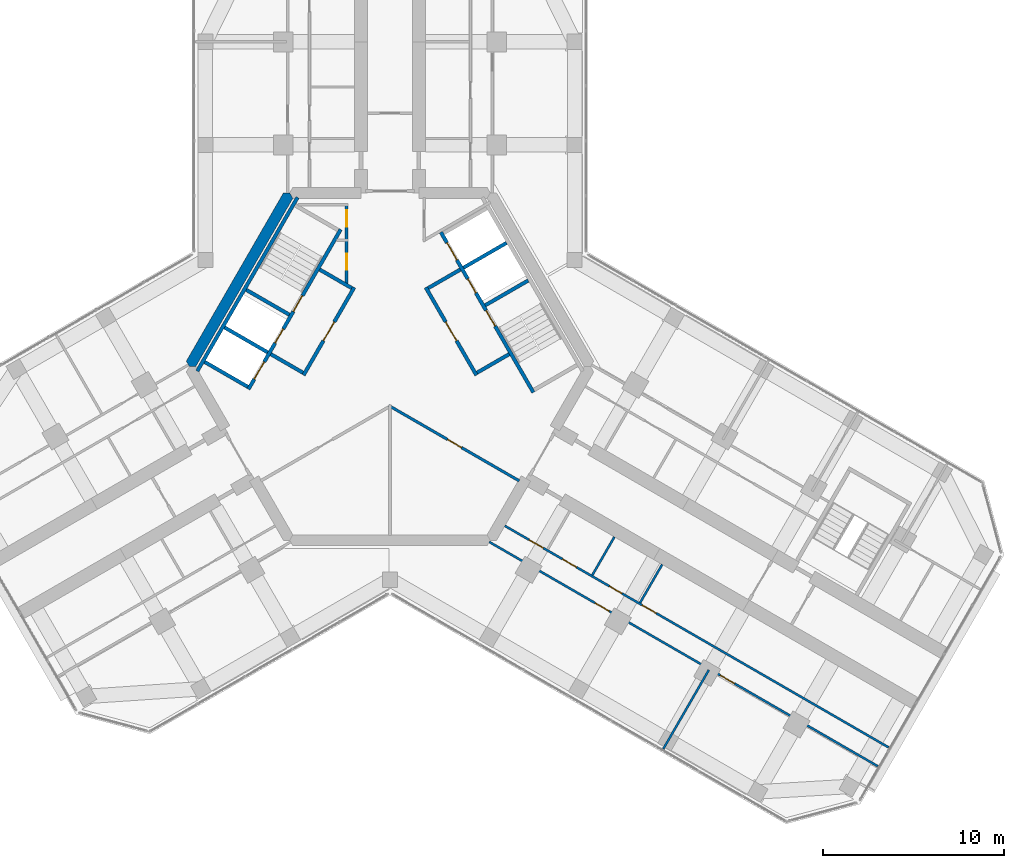
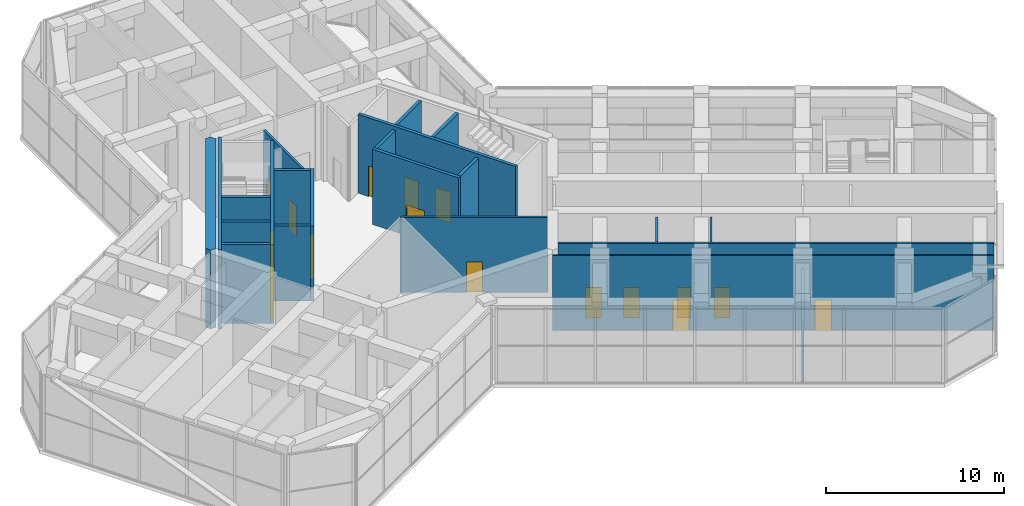
# One storey, part 12 of 16: 22 walls, 17 doors, 17 openings.
"""IFC4 building model written with IfcOpenShell, lengths in metres."""

import ifcopenshell
import ifcopenshell.guid

model = None  # the IFC model being written
_history = None  # IfcOwnerHistory: only IFC2X3 demands one
_inside = {}  # id of a spatial element -> (the spatial element, [elements in it])
_under = {}  # id of a project, library or spatial element -> (it, [spatial elements below it])
_declared = {}  # id of a project -> (the project, [libraries it declares])
_typed = {}  # id of a type object -> (the type object, [elements of that type])
_made_of = {}  # id of a material, layer set ... -> (it, [elements and type objects made of it])


def new_model(schema):
    """Start an empty IFC model of exactly this schema.

    Asked for "IFC4X3", IfcOpenShell would pick the latest addendum, in which some entities
    have other attributes; the version numbers below select the first issue.
    IFC2X3 requires an IfcOwnerHistory on every rooted entity: one is made here for all.
    """
    global model, _history
    if schema == "IFC4X3":
        model = ifcopenshell.file(schema_version=(4, 3, 0, 0))
    else:
        model = ifcopenshell.file(schema=schema)
    _inside.clear()
    _under.clear()
    _declared.clear()
    _typed.clear()
    _made_of.clear()
    _history = None
    if model.schema == "IFC2X3":
        org = make("IfcOrganization", Name="unknown")
        user = make(
            "IfcPersonAndOrganization",
            ThePerson=make("IfcPerson", FamilyName="unknown"),
            TheOrganization=org,
        )
        app = make(
            "IfcApplication",
            ApplicationDeveloper=org,
            Version="unknown",
            ApplicationFullName="unknown",
            ApplicationIdentifier="unknown",
        )
        _history = make(
            "IfcOwnerHistory",
            OwningUser=user,
            OwningApplication=app,
            ChangeAction="ADDED",
            CreationDate=0,
        )
    return model


def make(cls, **values):
    """One entity of the class cls with the attributes given. An attribute that is None is left unset."""
    return model.create_entity(
        cls, **{name: value for name, value in values.items() if value is not None}
    )


def rooted(cls, **values):
    """An entity with a GlobalId (a new one), such as an element, a storey or a relation."""
    return make(cls, GlobalId=ifcopenshell.guid.new(), OwnerHistory=_history, **values)


def si_unit(unit_type, name, prefix=None):
    """IfcSIUnit, for example si_unit("LENGTHUNIT", "METRE", prefix="MILLI")."""
    return make("IfcSIUnit", UnitType=unit_type, Prefix=prefix, Name=name)


def assignment(units):
    """IfcUnitAssignment: the units of a project."""
    return None if units is None else make("IfcUnitAssignment", Units=units)


def point(xyz):
    """IfcCartesianPoint."""
    return None if xyz is None else make("IfcCartesianPoint", Coordinates=xyz)


def direction(xyz):
    """IfcDirection."""
    return None if xyz is None else make("IfcDirection", DirectionRatios=xyz)


def frame(location, z_axis=None, x_axis=None):
    """IfcAxis2Placement3D, a coordinate frame: its origin and axes. An axis left out is left unset."""
    return make(
        "IfcAxis2Placement3D",
        Location=point(location),
        Axis=direction(z_axis),
        RefDirection=direction(x_axis),
    )


def frame_2d(location, x_axis=None):
    """IfcAxis2Placement2D, a coordinate frame in the plane: its origin and x axis."""
    return make(
        "IfcAxis2Placement2D", Location=point(location), RefDirection=direction(x_axis)
    )


def origin():
    """The frame at (0, 0, 0) with its axes left unset."""
    return frame((0.0, 0.0, 0.0))


def place(relative_to, where):
    """IfcLocalPlacement: puts the frame where relative to a parent placement (None: the world)."""
    return make(
        "IfcLocalPlacement", PlacementRelTo=relative_to, RelativePlacement=where
    )


def context(
    kind, dimensions, precision=None, world=None, true_north=None, identifier=None
):
    """IfcGeometricRepresentationContext, for example the 3D "Model" context."""
    return make(
        "IfcGeometricRepresentationContext",
        ContextIdentifier=identifier,
        ContextType=kind,
        CoordinateSpaceDimension=dimensions,
        Precision=precision,
        WorldCoordinateSystem=world,
        TrueNorth=true_north,
    )


def subcontext(parent, identifier, kind, view, scale=None):
    """IfcGeometricRepresentationSubContext, for example "Body" below "Model"."""
    return make(
        "IfcGeometricRepresentationSubContext",
        ContextIdentifier=identifier,
        ContextType=kind,
        ParentContext=parent,
        TargetScale=scale,
        TargetView=view,
    )


def project(units=None, contexts=None):
    """IfcProject with its units and contexts."""
    return rooted(
        "IfcProject",
        Name="project",
        RepresentationContexts=contexts,
        UnitsInContext=assignment(units),
    )


def spatial(cls, under=None, at=None, **own):
    """A site, building, storey or space (cls), placed at a placement, below another one or the project."""
    s = rooted(cls, ObjectPlacement=at, **own)
    if under is not None:
        _under.setdefault(under.id(), (under, []))[1].append(s)
    return s


def polyline(points):
    """IfcPolyline through the points."""
    return make("IfcPolyline", Points=[point(p) for p in points])


def profile(cls, at=None, kind="AREA", **sizes):
    """A parametric profile (cls). Its sizes go by their IFC names, for example OverallWidth=200.0."""
    return make(cls, ProfileType=kind, Position=at, **sizes)


def rectangle(**sizes):
    """IfcRectangleProfileDef."""
    return profile("IfcRectangleProfileDef", **sizes)


def outline(outer, holes=None, kind="AREA"):
    """IfcArbitraryClosedProfileDef: a profile drawn as a closed curve; with holes, ...WithVoids."""
    if holes is None:
        return make("IfcArbitraryClosedProfileDef", ProfileType=kind, OuterCurve=outer)
    return make(
        "IfcArbitraryProfileDefWithVoids",
        ProfileType=kind,
        OuterCurve=outer,
        InnerCurves=holes,
    )


def extrude(swept, where, along, depth):
    """IfcExtrudedAreaSolid: the profile swept, set in the frame where, extruded along a direction by depth."""
    return make(
        "IfcExtrudedAreaSolid",
        SweptArea=swept,
        Position=where,
        ExtrudedDirection=direction(along),
        Depth=depth,
    )


def shape(context_of_items, identifier, shape_type, items):
    """IfcShapeRepresentation: the items that make up one representation, for example the "Body"."""
    return make(
        "IfcShapeRepresentation",
        ContextOfItems=context_of_items,
        RepresentationIdentifier=identifier,
        RepresentationType=shape_type,
        Items=items,
    )


def material(Name=None, Category=None):
    """IfcMaterial."""
    return make("IfcMaterial", Name=Name, Category=Category)


def layer(
    of_material, thickness, ventilated=None, Name=None, Category=None, Priority=None
):
    """IfcMaterialLayer: one layer of a wall or slab, of a material (None: an air gap)."""
    return make(
        "IfcMaterialLayer",
        Material=of_material,
        LayerThickness=thickness,
        IsVentilated=ventilated,
        Name=Name,
        Category=Category,
        Priority=Priority,
    )


def layer_set(layers, Name=None):
    """IfcMaterialLayerSet."""
    return make("IfcMaterialLayerSet", MaterialLayers=layers, LayerSetName=Name)


def made_of(thing, what):
    """Note that an element or type object is made of a material, layer set ...; save() writes the relation."""
    if what is not None:
        _made_of.setdefault(what.id(), (what, []))[1].append(thing)
    return thing


def type_object(cls, material=None, **own):
    """A type object (cls), such as IfcWallType, which elements share."""
    return made_of(rooted(cls, **own), material)


def element(
    cls,
    number,
    at=None,
    inside=None,
    cuts=None,
    type_object=None,
    material=None,
    context=None,
    identifier="Body",
    shape_type=None,
    held_by="IfcProductDefinitionShape",
    body=None,
    shapes=None,
    **own,
):
    """One element of the class cls, such as IfcWall. Its Tag is "e" and its number.

    at: its placement. inside: the storey or other place that contains it. cuts: it is an
    opening in that element (IfcRelVoidsElement). A single representation is given by context,
    identifier, shape_type and body (its items); several are given by shapes. held_by: the class
    of the entity that holds the representations. save() writes the other relations.
    """
    e = rooted(cls, Tag="e%d" % number, ObjectPlacement=at, **own)
    if body is not None:
        shapes = [shape(context, identifier, shape_type, body)]
    if shapes is not None:
        e.Representation = make(held_by, Representations=shapes)
    if inside is not None:
        _inside.setdefault(inside.id(), (inside, []))[1].append(e)
    if cuts is not None:
        rooted(
            "IfcRelVoidsElement", RelatingBuildingElement=cuts, RelatedOpeningElement=e
        )
    if type_object is not None:
        _typed.setdefault(type_object.id(), (type_object, []))[1].append(e)
    return made_of(e, material)


def fill(opening, filler):
    """IfcRelFillsElement: the door or window that sits in an opening."""
    return rooted(
        "IfcRelFillsElement",
        RelatingOpeningElement=opening,
        RelatedBuildingElement=filler,
    )


def aggregate(whole, parts):
    """IfcRelAggregates: a whole, such as a stair, and the parts it consists of."""
    return rooted("IfcRelAggregates", RelatingObject=whole, RelatedObjects=parts)


def save(model, path):
    """Write the relations noted so far, then the file.

    IfcRelAggregates (storeys below a building ...), IfcRelContainedInSpatialStructure (elements
    in a storey), IfcRelDefinesByType, IfcRelAssociatesMaterial and IfcRelDeclares: one each for
    every whole, place, type object, material and project.
    """
    for whole, parts in _under.values():
        aggregate(whole, parts)
    for where, things in _inside.values():
        rooted(
            "IfcRelContainedInSpatialStructure",
            RelatedElements=things,
            RelatingStructure=where,
        )
    for kind, things in _typed.values():
        rooted("IfcRelDefinesByType", RelatedObjects=things, RelatingType=kind)
    for what, things in _made_of.values():
        rooted("IfcRelAssociatesMaterial", RelatedObjects=things, RelatingMaterial=what)
    for by, libraries in _declared.values():
        rooted("IfcRelDeclares", RelatingContext=by, RelatedDefinitions=libraries)
    model.write(path)


model = new_model("IFC4")

# Units and contexts
model_context = context("Model", 3, precision=1e-05, world=origin(), true_north=direction((0.0, 1.0)))
body_context = subcontext(model_context, "Body", "Model", "MODEL_VIEW")
ifc_project = project(units=[si_unit("LENGTHUNIT", "METRE"), si_unit("AREAUNIT", "SQUARE_METRE"), si_unit("VOLUMEUNIT", "CUBIC_METRE"), si_unit("PLANEANGLEUNIT", "RADIAN"), si_unit("MASSUNIT", "GRAM", prefix="KILO")], contexts=[model_context])

# Site, building, storey
site_placement = place(None, origin())
site = spatial("IfcSite", under=ifc_project, at=site_placement, CompositionType="ELEMENT")
building_placement = place(site_placement, origin())
building = spatial("IfcBuilding", under=site, at=building_placement, Name="Kosmar Iwan School Tower", CompositionType="ELEMENT")
storey_placement = place(building_placement, frame((0.0, 0.0, 226.199951171875)))
storey = spatial("IfcBuildingStorey", under=building, at=storey_placement, Name="L57", CompositionType="ELEMENT", Elevation=226.199951171875)

# Wall, openings, doors
ifc_material_1 = material(Name="Gypsum board on steel studs, fire-rated", Category="steel")
ifc_layer_1 = layer(ifc_material_1, 0.14990234375)
ifc_layer_set_1 = layer_set([ifc_layer_1], Name="Core room partition 150")
wall_type_1 = type_object("IfcWallType", Name="Core room partition 150", PredefinedType="PARTITIONING", material=ifc_layer_set_1)
wall_1_placement = place(storey_placement, frame((-2.39990234375, 9.014892578125, 0.0), z_axis=(0.0, 0.0, 1.0), x_axis=(0.0, -1.0, 0.0)))
wall_1 = element("IfcWall", 1, at=wall_1_placement, inside=storey, type_object=wall_type_1, Name="Core room partition L57-CW1", PredefinedType="PARTITIONING", context=body_context, shape_type="SweptSolid", body=[
    extrude(rectangle(XDim=4.484130859375, YDim=0.14990234375, at=frame_2d((2.2421875, 0.0))), origin(), (0.0, 0.0, 1.0), 5.150146484375),
])
opening_1_placement = place(wall_1_placement, frame((0.375, 0.0, 0.0)))
opening_1 = element("IfcOpeningElement", 2, at=opening_1_placement, cuts=wall_1, Name="Opening D14", PredefinedType="OPENING", context=body_context, shape_type="SweptSolid", body=[
    extrude(rectangle(XDim=0.89990234375, YDim=2.10009765625, at=frame_2d((0.449951171875, 1.050048828125))), frame((0.0, 0.0869140625, 0.0), z_axis=(0.0, -1.0, 0.0), x_axis=(1.0, 0.0, 0.0)), (0.0, 0.0, 1.0), 0.173828125),
])
opening_2_placement = place(wall_1_placement, frame((2.77490234375, 0.0, 0.0)))
opening_2 = element("IfcOpeningElement", 3, at=opening_2_placement, cuts=wall_1, Name="Opening D14", PredefinedType="OPENING", context=body_context, shape_type="SweptSolid", body=[
    extrude(rectangle(XDim=0.89990234375, YDim=2.10009765625, at=frame_2d((0.449951171875, 1.050048828125))), frame((0.0, 0.0869140625, 0.0), z_axis=(0.0, -1.0, 0.0), x_axis=(1.0, 0.0, 0.0)), (0.0, 0.0, 1.0), 0.173828125),
])
ifc_material_2 = material(Name="Timber fire door in steel frame", Category="steel")
door_type_1 = type_object("IfcDoorType", Name="Core room door 900x2100", OperationType="SINGLE_SWING_LEFT", PredefinedType="DOOR", material=ifc_material_2)
door_1_placement = place(opening_1_placement, origin())
door_1 = element("IfcDoor", 4, at=door_1_placement, inside=storey, type_object=door_type_1, Name="Electrical riser and switch room door L57 1", OperationType="SINGLE_SWING_LEFT", OverallHeight=2.10009765625, OverallWidth=0.89990234375, PredefinedType="DOOR", context=body_context, shape_type="SweptSolid", body=[
    extrude(rectangle(XDim=0.89990234375, YDim=2.10009765625, at=frame_2d((0.449951171875, 1.050048828125))), frame((0.0, 0.02490234375, 0.0), z_axis=(0.0, -1.0, 0.0), x_axis=(1.0, 0.0, 0.0)), (0.0, 0.0, 1.0), 0.050048828125),
])
fill(opening_1, door_1)
door_2_placement = place(opening_2_placement, origin())
door_2 = element("IfcDoor", 5, at=door_2_placement, inside=storey, type_object=door_type_1, Name="Plumbing and wet riser door L57 2", OperationType="SINGLE_SWING_RIGHT", OverallHeight=2.10009765625, OverallWidth=0.89990234375, PredefinedType="DOOR", context=body_context, shape_type="SweptSolid", body=[
    extrude(rectangle(XDim=0.89990234375, YDim=2.10009765625, at=frame_2d((0.449951171875, 1.050048828125))), frame((0.0, 0.02490234375, 0.0), z_axis=(0.0, -1.0, 0.0), x_axis=(1.0, 0.0, 0.0)), (0.0, 0.0, 1.0), 0.050048828125),
])
fill(opening_2, door_2)

# Wall, opening, door
wall_2_placement = place(storey_placement, frame((-0.06494140625, -2.156494140625, 0.0), z_axis=(0.0, 0.0, 1.0), x_axis=(0.866034159509, -0.499984834333, 0.0)))
wall_2 = element("IfcWall", 6, at=wall_2_placement, inside=storey, type_object=wall_type_1, Name="Core room partition L57-CW6", PredefinedType="PARTITIONING", context=body_context, shape_type="SweptSolid", body=[
    extrude(rectangle(XDim=8.322998046875, YDim=0.14990234375, at=frame_2d((4.16162109375, 0.0))), origin(), (0.0, 0.0, 1.0), 5.150146484375),
])
opening_3_placement = place(wall_2_placement, frame((3.7470703125, 0.0, 0.0)))
opening_3 = element("IfcOpeningElement", 7, at=opening_3_placement, cuts=wall_2, Name="Opening D14", PredefinedType="OPENING", context=body_context, shape_type="SweptSolid", body=[
    extrude(rectangle(XDim=0.89990234375, YDim=2.10009765625, at=frame_2d((0.449951171875, 1.050048828125))), frame((0.0, 0.0869140625, 0.0), z_axis=(0.0, -1.0, 0.0), x_axis=(1.0, 0.0, 0.0)), (0.0, 0.0, 1.0), 0.173828125),
])
door_3_placement = place(opening_3_placement, origin())
door_3 = element("IfcDoor", 8, at=door_3_placement, inside=storey, type_object=door_type_1, Name="Parcel room door L57 3", OperationType="SINGLE_SWING_RIGHT", OverallHeight=2.10009765625, OverallWidth=0.89990234375, PredefinedType="DOOR", context=body_context, shape_type="SweptSolid", body=[
    extrude(rectangle(XDim=0.89990234375, YDim=2.10009765625, at=frame_2d((0.449951171875, 1.050048828125))), frame((0.0, 0.02490234375, 0.0), z_axis=(0.0, -1.0, 0.0), x_axis=(1.0, 0.0, 0.0)), (0.0, 0.0, 1.0), 0.050048828125),
])
fill(opening_3, door_3)

# Wall
ifc_material_3 = material(Name="Concrete C50/60", Category="concrete")
ifc_layer_2 = layer(ifc_material_3, 0.60009765625)
ifc_layer_set_2 = layer_set([ifc_layer_2], Name="Core wall 600")
wall_type_2 = type_object("IfcWallType", Name="Core wall 600", PredefinedType="SHEAR", material=ifc_layer_set_2)
wall_3_placement = place(storey_placement, origin())
element("IfcWall", 9, at=wall_3_placement, inside=storey, type_object=wall_type_2, Name="Core wall F150", PredefinedType="SHEAR", context=body_context, shape_type="SweptSolid", body=[
    extrude(outline(polyline([(-11.085205078125, 0.0), (-10.73876953125, 0.0), (-5.369384765625, 9.300048828125), (-5.54248046875, 9.60009765625), (-5.888916015625, 9.60009765625), (-11.25830078125, 0.300048828125), (-11.085205078125, 0.0)])), origin(), (0.0, 0.0, 1.0), 5.400146484375),
])

# Wall, openings, doors
ifc_material_4 = material(Name="Gypsum board on steel studs", Category="steel")
ifc_layer_3 = layer(ifc_material_4, 0.1201171875)
ifc_layer_set_3 = layer_set([ifc_layer_3], Name="Dwelling partition 120")
wall_type_3 = type_object("IfcWallType", Name="Dwelling partition 120", PredefinedType="PARTITIONING", material=ifc_layer_set_3)
wall_4_placement = place(storey_placement, frame((6.3486328125, -8.8037109375, 0.0), z_axis=(0.0, 0.0, 1.0), x_axis=(0.866025252256, -0.500000262455, 0.0)))
wall_4 = element("IfcWall", 10, at=wall_4_placement, inside=storey, type_object=wall_type_3, Name="Partition L57-CR1-W1", PredefinedType="PARTITIONING", context=body_context, shape_type="SweptSolid", body=[
    extrude(rectangle(XDim=24.4951171875, YDim=0.1201171875, at=frame_2d((12.24755859375, 0.0))), origin(), (0.0, 0.0, 1.0), 5.150146484375),
])
opening_4_placement = place(wall_4_placement, frame((1.550048828125, 0.0, 0.0)))
opening_4 = element("IfcOpeningElement", 11, at=opening_4_placement, cuts=wall_4, Name="Opening D2", PredefinedType="OPENING", context=body_context, shape_type="SweptSolid", body=[
    extrude(rectangle(XDim=0.89990234375, YDim=2.10009765625, at=frame_2d((0.449951171875, 1.050048828125))), frame((0.0, 0.072021484375, 0.0), z_axis=(0.0, -1.0, 0.0), x_axis=(1.0, 0.0, 0.0)), (0.0, 0.0, 1.0), 0.14404296875),
])
opening_5_placement = place(wall_4_placement, frame((3.675048828125, 0.0, 0.0)))
opening_5 = element("IfcOpeningElement", 12, at=opening_5_placement, cuts=wall_4, Name="Opening D2", PredefinedType="OPENING", context=body_context, shape_type="SweptSolid", body=[
    extrude(rectangle(XDim=0.89990234375, YDim=2.10009765625, at=frame_2d((0.449951171875, 1.050048828125))), frame((0.0, 0.072021484375, 0.0), z_axis=(0.0, -1.0, 0.0), x_axis=(1.0, 0.0, 0.0)), (0.0, 0.0, 1.0), 0.14404296875),
])
opening_6_placement = place(wall_4_placement, frame((6.675048828125, 0.0, 0.0)))
opening_6 = element("IfcOpeningElement", 13, at=opening_6_placement, cuts=wall_4, Name="Opening D3", PredefinedType="OPENING", context=body_context, shape_type="SweptSolid", body=[
    extrude(rectangle(XDim=0.800048828125, YDim=2.10009765625, at=frame_2d((0.39990234375, 1.050048828125))), frame((0.0, 0.072021484375, 0.0), z_axis=(0.0, -1.0, 0.0), x_axis=(1.0, 0.0, 0.0)), (0.0, 0.0, 1.0), 0.14404296875),
])
opening_7_placement = place(wall_4_placement, frame((8.760009765625, 0.0, 0.0)))
opening_7 = element("IfcOpeningElement", 14, at=opening_7_placement, cuts=wall_4, Name="Opening D2", PredefinedType="OPENING", context=body_context, shape_type="SweptSolid", body=[
    extrude(rectangle(XDim=0.89990234375, YDim=2.10009765625, at=frame_2d((0.449951171875, 1.050048828125))), frame((0.0, 0.072021484375, 0.0), z_axis=(0.0, -1.0, 0.0), x_axis=(1.0, 0.0, 0.0)), (0.0, 0.0, 1.0), 0.14404296875),
])
ifc_material_5 = material(Name="Timber door in timber frame", Category="wood")
door_type_2 = type_object("IfcDoorType", Name="Internal door 900x2100", OperationType="SINGLE_SWING_LEFT", PredefinedType="DOOR", material=ifc_material_5)
door_4_placement = place(opening_4_placement, origin())
door_4 = element("IfcDoor", 15, at=door_4_placement, inside=storey, type_object=door_type_2, Name="Entrance hall door L57-CR1-S1", OperationType="SINGLE_SWING_RIGHT", OverallHeight=2.10009765625, OverallWidth=0.89990234375, PredefinedType="DOOR", context=body_context, shape_type="SweptSolid", body=[
    extrude(rectangle(XDim=0.89990234375, YDim=2.10009765625, at=frame_2d((0.449951171875, 1.050048828125))), frame((0.0, 0.02490234375, 0.0), z_axis=(0.0, -1.0, 0.0), x_axis=(1.0, 0.0, 0.0)), (0.0, 0.0, 1.0), 0.050048828125),
])
fill(opening_4, door_4)
door_5_placement = place(opening_5_placement, origin())
door_5 = element("IfcDoor", 16, at=door_5_placement, inside=storey, type_object=door_type_2, Name="Changing room door L57-CR1-S2", OperationType="SINGLE_SWING_RIGHT", OverallHeight=2.10009765625, OverallWidth=0.89990234375, PredefinedType="DOOR", context=body_context, shape_type="SweptSolid", body=[
    extrude(rectangle(XDim=0.89990234375, YDim=2.10009765625, at=frame_2d((0.449951171875, 1.050048828125))), frame((0.0, 0.02490234375, 0.0), z_axis=(0.0, -1.0, 0.0), x_axis=(1.0, 0.0, 0.0)), (0.0, 0.0, 1.0), 0.050048828125),
])
fill(opening_5, door_5)
door_6_placement = place(opening_7_placement, origin())
door_6 = element("IfcDoor", 17, at=door_6_placement, inside=storey, type_object=door_type_2, Name="Garden store door L57-CR1-S4", OperationType="SINGLE_SWING_LEFT", OverallHeight=2.10009765625, OverallWidth=0.89990234375, PredefinedType="DOOR", context=body_context, shape_type="SweptSolid", body=[
    extrude(rectangle(XDim=0.89990234375, YDim=2.10009765625, at=frame_2d((0.449951171875, 1.050048828125))), frame((0.0, 0.02490234375, 0.0), z_axis=(0.0, -1.0, 0.0), x_axis=(1.0, 0.0, 0.0)), (0.0, 0.0, 1.0), 0.050048828125),
])
fill(opening_7, door_6)
ifc_material_6 = material(Name="Timber door in timber frame", Category="wood")
door_type_3 = type_object("IfcDoorType", Name="Sanitary room door 800x2100", OperationType="SINGLE_SWING_LEFT", PredefinedType="DOOR", material=ifc_material_6)
door_7_placement = place(opening_6_placement, origin())
door_7 = element("IfcDoor", 18, at=door_7_placement, inside=storey, type_object=door_type_3, Name="Shower room door L57-CR1-S3", OperationType="SINGLE_SWING_LEFT", OverallHeight=2.10009765625, OverallWidth=0.800048828125, PredefinedType="DOOR", context=body_context, shape_type="SweptSolid", body=[
    extrude(rectangle(XDim=0.800048828125, YDim=2.10009765625, at=frame_2d((0.39990234375, 1.050048828125))), frame((0.0, 0.02490234375, 0.0), z_axis=(0.0, -1.0, 0.0), x_axis=(1.0, 0.0, 0.0)), (0.0, 0.0, 1.0), 0.050048828125),
])
fill(opening_6, door_7)

wall_5_placement = place(storey_placement, frame((5.48876953125, -9.693115234375, 0.0), z_axis=(0.0, 0.0, 1.0), x_axis=(0.866026536093, -0.499998038779, 0.0)))
wall_5 = element("IfcWall", 19, at=wall_5_placement, inside=storey, type_object=wall_type_3, Name="Partition L57-CR1-W2", PredefinedType="PARTITIONING", context=body_context, shape_type="SweptSolid", body=[
    extrude(rectangle(XDim=24.794921875, YDim=0.1201171875, at=frame_2d((12.3974609375, 0.0))), origin(), (0.0, 0.0, 1.0), 5.150146484375),
])
opening_8_placement = place(wall_5_placement, frame((6.75, 0.0, 0.0)))
opening_8 = element("IfcOpeningElement", 20, at=opening_8_placement, cuts=wall_5, Name="Opening D2", PredefinedType="OPENING", context=body_context, shape_type="SweptSolid", body=[
    extrude(rectangle(XDim=0.89990234375, YDim=2.10009765625, at=frame_2d((0.449951171875, 1.050048828125))), frame((0.0, 0.072021484375, 0.0), z_axis=(0.0, -1.0, 0.0), x_axis=(1.0, 0.0, 0.0)), (0.0, 0.0, 1.0), 0.14404296875),
])
opening_9_placement = place(wall_5_placement, frame((14.75, 0.0, 0.0)))
opening_9 = element("IfcOpeningElement", 21, at=opening_9_placement, cuts=wall_5, Name="Opening D2", PredefinedType="OPENING", context=body_context, shape_type="SweptSolid", body=[
    extrude(rectangle(XDim=0.89990234375, YDim=2.10009765625, at=frame_2d((0.449951171875, 1.050048828125))), frame((0.0, 0.072021484375, 0.0), z_axis=(0.0, -1.0, 0.0), x_axis=(1.0, 0.0, 0.0)), (0.0, 0.0, 1.0), 0.14404296875),
])
door_8_placement = place(opening_8_placement, origin())
door_8 = element("IfcDoor", 22, at=door_8_placement, inside=storey, type_object=door_type_2, Name="Fitness room door L57-CR1-F1", OperationType="SINGLE_SWING_LEFT", OverallHeight=2.10009765625, OverallWidth=0.89990234375, PredefinedType="DOOR", context=body_context, shape_type="SweptSolid", body=[
    extrude(rectangle(XDim=0.89990234375, YDim=2.10009765625, at=frame_2d((0.449951171875, 1.050048828125))), frame((0.0, 0.02490234375, 0.0), z_axis=(0.0, -1.0, 0.0), x_axis=(1.0, 0.0, 0.0)), (0.0, 0.0, 1.0), 0.050048828125),
])
fill(opening_8, door_8)
door_9_placement = place(opening_9_placement, origin())
door_9 = element("IfcDoor", 23, at=door_9_placement, inside=storey, type_object=door_type_2, Name="Winter garden door L57-CR1-F2", OperationType="SINGLE_SWING_RIGHT", OverallHeight=2.10009765625, OverallWidth=0.89990234375, PredefinedType="DOOR", context=body_context, shape_type="SweptSolid", body=[
    extrude(rectangle(XDim=0.89990234375, YDim=2.10009765625, at=frame_2d((0.449951171875, 1.050048828125))), frame((0.0, 0.02490234375, 0.0), z_axis=(0.0, -1.0, 0.0), x_axis=(1.0, 0.0, 0.0)), (0.0, 0.0, 1.0), 0.050048828125),
])
fill(opening_9, door_9)

# Walls
wall_6_placement = place(storey_placement, frame((17.62646484375, -16.77001953125, 0.0), z_axis=(0.0, 0.0, 1.0), x_axis=(-0.500019063067, -0.866014397438, 0.0)))
element("IfcWall", 24, at=wall_6_placement, inside=storey, type_object=wall_type_3, Name="Partition L57-CR1-X1", PredefinedType="PARTITIONING", context=body_context, shape_type="SweptSolid", body=[
    extrude(rectangle(XDim=5.034912109375, YDim=0.1201171875, at=frame_2d((2.517578125, 0.0))), origin(), (0.0, 0.0, 1.0), 4.25),
])
for number, where, z_axis, x_axis, name in (
    (25, (12.405029296875, -9.413818359375, 0.0), (0.0, 0.0, 1.0), (-0.500002508028, -0.866023955769, 0.0), "Partition L57-CR1-Y2"),
    (26, (15.04638671875, -10.938720703125, 0.0), (0.0, 0.0, 1.0), (-0.500002508028, -0.866023955769, 0.0), "Partition L57-CR1-Y3"),
):
    element("IfcWall", number, at=place(storey_placement, frame(where, z_axis=z_axis, x_axis=x_axis)), inside=storey, type_object=wall_type_3, Name=name, PredefinedType="PARTITIONING", context=body_context, shape_type="SweptSolid", body=[
        extrude(rectangle(XDim=2.43994140625, YDim=0.1201171875, at=frame_2d((1.219970703125, 0.0))), origin(), (0.0, 0.0, 1.0), 5.150146484375),
    ])

# Wall, opening, door
ifc_material_7 = material(Name="Concrete block masonry", Category="masonry")
ifc_layer_4 = layer(ifc_material_7, 0.199951171875)
ifc_layer_set_4 = layer_set([ifc_layer_4], Name="Fire lobby wall 200")
wall_type_4 = type_object("IfcWallType", Name="Fire lobby wall 200", PredefinedType="PARTITIONING", material=ifc_layer_set_4)
wall_7_placement = place(storey_placement, frame((-1.9775390625, 4.374755859375, 0.0), z_axis=(0.0, 0.0, 1.0), x_axis=(-0.500016814911, -0.866015695474, 0.0)))
wall_7 = element("IfcWall", 27, at=wall_7_placement, inside=storey, type_object=wall_type_4, Name="Firefighting lobby wall ST2", PredefinedType="PARTITIONING", context=body_context, shape_type="SweptSolid", body=[
    extrude(rectangle(XDim=5.599853515625, YDim=0.199951171875, at=frame_2d((2.7998046875, 0.0))), origin(), (0.0, 0.0, 1.0), 5.150146484375),
])
opening_10_placement = place(wall_7_placement, frame((2.199951171875, 0.0, 0.0)))
opening_10 = element("IfcOpeningElement", 28, at=opening_10_placement, cuts=wall_7, Name="Opening D7", PredefinedType="OPENING", context=body_context, shape_type="SweptSolid", body=[
    extrude(rectangle(XDim=1.199951171875, YDim=2.10009765625, at=frame_2d((0.60009765625, 1.050048828125))), frame((0.0, 0.112060546875, 0.0), z_axis=(0.0, -1.0, 0.0), x_axis=(1.0, 0.0, 0.0)), (0.0, 0.0, 1.0), 0.223876953125),
])
ifc_material_8 = material(Name="Steel fire door", Category="steel")
door_type_4 = type_object("IfcDoorType", Name="Fire lobby door 1200x2100", OperationType="SINGLE_SWING_LEFT", PredefinedType="DOOR", material=ifc_material_8)
door_10_placement = place(opening_10_placement, origin())
door_10 = element("IfcDoor", 29, at=door_10_placement, inside=storey, type_object=door_type_4, Name="Firefighting lobby door ST2 L57", OperationType="SINGLE_SWING_RIGHT", OverallHeight=2.10009765625, OverallWidth=1.199951171875, PredefinedType="DOOR", context=body_context, shape_type="SweptSolid", body=[
    extrude(rectangle(XDim=1.199951171875, YDim=2.10009765625, at=frame_2d((0.60009765625, 1.050048828125))), frame((0.0, 0.02490234375, 0.0), z_axis=(0.0, -1.0, 0.0), x_axis=(1.0, 0.0, 0.0)), (0.0, 0.0, 1.0), 0.050048828125),
])
fill(opening_10, door_10)

# Walls
wall_8_placement = place(storey_placement, frame((-2.114013671875, 4.33837890625, 0.0), z_axis=(0.0, 0.0, 1.0), x_axis=(-0.866050731258, 0.499956128963, 0.0)))
element("IfcWall", 30, at=wall_8_placement, inside=storey, type_object=wall_type_4, Name="Firefighting lobby wall ST2", PredefinedType="PARTITIONING", context=body_context, shape_type="SweptSolid", body=[
    extrude(rectangle(XDim=2.050048828125, YDim=0.199951171875, at=frame_2d((1.02490234375, 0.0))), origin(), (0.0, 0.0, 1.0), 5.150146484375),
])
wall_9_placement = place(storey_placement, frame((-4.814208984375, -0.33837890625, 0.0), z_axis=(0.0, 0.0, 1.0), x_axis=(-0.865969381856, 0.500097020274, 0.0)))
element("IfcWall", 31, at=wall_9_placement, inside=storey, type_object=wall_type_4, Name="Firefighting lobby wall ST2", PredefinedType="PARTITIONING", context=body_context, shape_type="SweptSolid", body=[
    extrude(rectangle(XDim=2.0498046875, YDim=0.199951171875, at=frame_2d((1.02490234375, 0.0))), origin(), (0.0, 0.0, 1.0), 5.150146484375),
])

# Wall, opening, door
wall_10_placement = place(storey_placement, frame((4.777587890625, -0.474853515625, 0.0), z_axis=(0.0, 0.0, 1.0), x_axis=(-0.500016814911, 0.866015695474, 0.0)))
wall_10 = element("IfcWall", 32, at=wall_10_placement, inside=storey, type_object=wall_type_4, Name="Firefighting lobby wall ST1", PredefinedType="PARTITIONING", context=body_context, shape_type="SweptSolid", body=[
    extrude(rectangle(XDim=5.599853515625, YDim=0.199951171875, at=frame_2d((2.7998046875, 0.0))), origin(), (0.0, 0.0, 1.0), 5.150146484375),
])
opening_11_placement = place(wall_10_placement, frame((2.199951171875, 0.0, 0.0)))
opening_11 = element("IfcOpeningElement", 33, at=opening_11_placement, cuts=wall_10, Name="Opening D7", PredefinedType="OPENING", context=body_context, shape_type="SweptSolid", body=[
    extrude(rectangle(XDim=1.199951171875, YDim=2.10009765625, at=frame_2d((0.60009765625, 1.050048828125))), frame((0.0, 0.112060546875, 0.0), z_axis=(0.0, -1.0, 0.0), x_axis=(1.0, 0.0, 0.0)), (0.0, 0.0, 1.0), 0.223876953125),
])
door_11_placement = place(opening_11_placement, origin())
door_11 = element("IfcDoor", 34, at=door_11_placement, inside=storey, type_object=door_type_4, Name="Firefighting lobby door ST1 L57", OperationType="SINGLE_SWING_RIGHT", OverallHeight=2.10009765625, OverallWidth=1.199951171875, PredefinedType="DOOR", context=body_context, shape_type="SweptSolid", body=[
    extrude(rectangle(XDim=1.199951171875, YDim=2.10009765625, at=frame_2d((0.60009765625, 1.050048828125))), frame((0.0, 0.02490234375, 0.0), z_axis=(0.0, -1.0, 0.0), x_axis=(1.0, 0.0, 0.0)), (0.0, 0.0, 1.0), 0.050048828125),
])
fill(opening_11, door_11)

# Walls
wall_11_placement = place(storey_placement, frame((4.814208984375, -0.33837890625, 0.0), z_axis=(0.0, 0.0, 1.0), x_axis=(0.865969381856, 0.500097020274, 0.0)))
element("IfcWall", 35, at=wall_11_placement, inside=storey, type_object=wall_type_4, Name="Firefighting lobby wall ST1", PredefinedType="PARTITIONING", context=body_context, shape_type="SweptSolid", body=[
    extrude(rectangle(XDim=2.0498046875, YDim=0.199951171875, at=frame_2d((1.02490234375, 0.0))), origin(), (0.0, 0.0, 1.0), 5.150146484375),
])
wall_12_placement = place(storey_placement, frame((2.114013671875, 4.33837890625, 0.0), z_axis=(0.0, 0.0, 1.0), x_axis=(0.866050731258, 0.499956128963, 0.0)))
element("IfcWall", 36, at=wall_12_placement, inside=storey, type_object=wall_type_4, Name="Firefighting lobby wall ST1", PredefinedType="PARTITIONING", context=body_context, shape_type="SweptSolid", body=[
    extrude(rectangle(XDim=2.050048828125, YDim=0.199951171875, at=frame_2d((1.02490234375, 0.0))), origin(), (0.0, 0.0, 1.0), 5.150146484375),
])

# Wall, openings, doors
ifc_material_9 = material(Name="Concrete C50/60", Category="concrete")
ifc_layer_5 = layer(ifc_material_9, 0.199951171875)
ifc_layer_set_5 = layer_set([ifc_layer_5], Name="Lift shaft wall 200")
wall_type_5 = type_object("IfcWallType", Name="Lift shaft wall 200", PredefinedType="SHEAR", material=ifc_layer_set_5)
wall_13_placement = place(storey_placement, frame((-2.72607421875, 7.578369140625, 0.0), z_axis=(0.0, 0.0, 1.0), x_axis=(-0.500005610874, -0.86602216432, 0.0)))
wall_13 = element("IfcWall", 37, at=wall_13_placement, inside=storey, type_object=wall_type_5, Name="Lift and stair front wall AB", PredefinedType="SHEAR", context=body_context, shape_type="SweptSolid", body=[
    extrude(rectangle(XDim=10.2001953125, YDim=0.199951171875, at=frame_2d((5.10009765625, 0.0))), origin(), (0.0, 0.0, 1.0), 5.400146484375),
])
opening_12_placement = place(wall_13_placement, frame((6.35009765625, 0.0, 0.0)))
opening_12 = element("IfcOpeningElement", 38, at=opening_12_placement, cuts=wall_13, Name="Opening LD2", PredefinedType="OPENING", context=body_context, shape_type="SweptSolid", body=[
    extrude(rectangle(XDim=0.89990234375, YDim=2.10009765625, at=frame_2d((0.449951171875, 1.050048828125))), frame((0.0, 0.112060546875, 0.0), z_axis=(0.0, -1.0, 0.0), x_axis=(1.0, 0.0, 0.0)), (0.0, 0.0, 1.0), 0.223876953125),
])
opening_13_placement = place(wall_13_placement, frame((8.449951171875, 0.0, 0.0)))
opening_13 = element("IfcOpeningElement", 39, at=opening_13_placement, cuts=wall_13, Name="Opening LD1", PredefinedType="OPENING", context=body_context, shape_type="SweptSolid", body=[
    extrude(rectangle(XDim=1.10009765625, YDim=2.10009765625, at=frame_2d((0.550048828125, 1.050048828125))), frame((0.0, 0.112060546875, 0.0), z_axis=(0.0, -1.0, 0.0), x_axis=(1.0, 0.0, 0.0)), (0.0, 0.0, 1.0), 0.223876953125),
])
opening_14_placement = place(wall_13_placement, frame((4.22998046875, 0.0, 0.0)))
opening_14 = element("IfcOpeningElement", 40, at=opening_14_placement, cuts=wall_13, Name="Opening D6", PredefinedType="OPENING", context=body_context, shape_type="SweptSolid", body=[
    extrude(rectangle(XDim=1.0, YDim=2.10009765625, at=frame_2d((0.5, 1.050048828125))), frame((0.0, 0.112060546875, 0.0), z_axis=(0.0, -1.0, 0.0), x_axis=(1.0, 0.0, 0.0)), (0.0, 0.0, 1.0), 0.223876953125),
])
ifc_material_10 = material(Name="Stainless steel sliding lift door", Category="steel")
door_type_5 = type_object("IfcDoorType", Name="Firefighting lift landing door 900x2100", OperationType="SLIDING_TO_LEFT", PredefinedType="DOOR", material=ifc_material_10)
door_12_placement = place(opening_12_placement, origin())
door_12 = element("IfcDoor", 41, at=door_12_placement, inside=storey, type_object=door_type_5, Name="Lift FF2 landing door L57", OperationType="SLIDING_TO_LEFT", OverallHeight=2.10009765625, OverallWidth=0.89990234375, PredefinedType="DOOR", context=body_context, shape_type="SweptSolid", body=[
    extrude(rectangle(XDim=0.89990234375, YDim=2.10009765625, at=frame_2d((0.449951171875, 1.050048828125))), frame((0.0, 0.02490234375, 0.0), z_axis=(0.0, -1.0, 0.0), x_axis=(1.0, 0.0, 0.0)), (0.0, 0.0, 1.0), 0.050048828125),
])
fill(opening_12, door_12)
ifc_material_11 = material(Name="Stainless steel sliding lift door", Category="steel")
door_type_6 = type_object("IfcDoorType", Name="Lift landing door 1100x2100", OperationType="SLIDING_TO_LEFT", PredefinedType="DOOR", material=ifc_material_11)
door_13_placement = place(opening_13_placement, origin())
door_13 = element("IfcDoor", 42, at=door_13_placement, inside=storey, type_object=door_type_6, Name="Lift PL6 landing door L57", OperationType="SLIDING_TO_LEFT", OverallHeight=2.10009765625, OverallWidth=1.10009765625, PredefinedType="DOOR", context=body_context, shape_type="SweptSolid", body=[
    extrude(rectangle(XDim=1.10009765625, YDim=2.10009765625, at=frame_2d((0.550048828125, 1.050048828125))), frame((0.0, 0.02490234375, 0.0), z_axis=(0.0, -1.0, 0.0), x_axis=(1.0, 0.0, 0.0)), (0.0, 0.0, 1.0), 0.050048828125),
])
fill(opening_13, door_13)
ifc_material_12 = material(Name="Steel fire door", Category="steel")
door_type_7 = type_object("IfcDoorType", Name="Stair door 1000x2100", OperationType="SINGLE_SWING_LEFT", PredefinedType="DOOR", material=ifc_material_12)
door_14_placement = place(opening_14_placement, origin())
door_14 = element("IfcDoor", 43, at=door_14_placement, inside=storey, type_object=door_type_7, Name="Stair ST2 door L57", OperationType="SINGLE_SWING_LEFT", OverallHeight=2.10009765625, OverallWidth=1.0, PredefinedType="DOOR", context=body_context, shape_type="SweptSolid", body=[
    extrude(rectangle(XDim=1.0, YDim=2.10009765625, at=frame_2d((0.5, 1.050048828125))), frame((0.0, 0.02490234375, 0.0), z_axis=(0.0, -1.0, 0.0), x_axis=(1.0, 0.0, 0.0)), (0.0, 0.0, 1.0), 0.050048828125),
])
fill(opening_14, door_14)

# Walls
wall_14_placement = place(storey_placement, frame((-5.109619140625, 9.35009765625, 0.0), z_axis=(0.0, 0.0, 1.0), x_axis=(-0.499990629522, -0.866030813765, 0.0)))
element("IfcWall", 44, at=wall_14_placement, inside=storey, type_object=wall_type_5, Name="Lift and stair back wall AB", PredefinedType="SHEAR", context=body_context, shape_type="SweptSolid", body=[
    extrude(rectangle(XDim=11.085205078125, YDim=0.199951171875, at=frame_2d((5.54248046875, 0.0))), origin(), (0.0, 0.0, 1.0), 5.400146484375),
])
for number, where, z_axis, x_axis, name in (
    (45, (-6.7626953125, 0.78662109375, 0.0), (0.0, 0.0, 1.0), (-0.866027397988, 0.499996545922, 0.0), "Lift shaft wall AB 1"),
    (46, (-7.862548828125, -1.118408203125, 0.0), (0.0, 0.0, 1.0), (-0.866027397988, 0.499996545922, 0.0), "Lift shaft wall AB 2"),
):
    element("IfcWall", number, at=place(storey_placement, frame(where, z_axis=z_axis, x_axis=x_axis)), inside=storey, type_object=wall_type_5, Name=name, PredefinedType="SHEAR", context=body_context, shape_type="SweptSolid", body=[
        extrude(rectangle(XDim=2.75, YDim=0.199951171875, at=frame_2d((1.375, 0.0))), origin(), (0.0, 0.0, 1.0), 5.400146484375),
    ])

# Wall, openings, doors
wall_15_placement = place(storey_placement, frame((7.926025390625, -1.42822265625, 0.0), z_axis=(0.0, 0.0, 1.0), x_axis=(-0.50000905659, 0.866020174897, 0.0)))
wall_15 = element("IfcWall", 47, at=wall_15_placement, inside=storey, type_object=wall_type_5, Name="Lift and stair front wall AC", PredefinedType="SHEAR", context=body_context, shape_type="SweptSolid", body=[
    extrude(rectangle(XDim=10.224853515625, YDim=0.199951171875, at=frame_2d((5.1123046875, 0.0))), origin(), (0.0, 0.0, 1.0), 5.400146484375),
])
opening_15_placement = place(wall_15_placement, frame((6.35009765625, 0.0, 0.0)))
opening_15 = element("IfcOpeningElement", 48, at=opening_15_placement, cuts=wall_15, Name="Opening LD2", PredefinedType="OPENING", context=body_context, shape_type="SweptSolid", body=[
    extrude(rectangle(XDim=0.89990234375, YDim=2.10009765625, at=frame_2d((0.449951171875, 1.050048828125))), frame((0.0, 0.112060546875, 0.0), z_axis=(0.0, -1.0, 0.0), x_axis=(1.0, 0.0, 0.0)), (0.0, 0.0, 1.0), 0.223876953125),
])
opening_16_placement = place(wall_15_placement, frame((8.449951171875, 0.0, 0.0)))
opening_16 = element("IfcOpeningElement", 49, at=opening_16_placement, cuts=wall_15, Name="Opening LD1", PredefinedType="OPENING", context=body_context, shape_type="SweptSolid", body=[
    extrude(rectangle(XDim=1.10009765625, YDim=2.10009765625, at=frame_2d((0.550048828125, 1.050048828125))), frame((0.0, 0.112060546875, 0.0), z_axis=(0.0, -1.0, 0.0), x_axis=(1.0, 0.0, 0.0)), (0.0, 0.0, 1.0), 0.223876953125),
])
opening_17_placement = place(wall_15_placement, frame((4.22998046875, 0.0, 0.0)))
opening_17 = element("IfcOpeningElement", 50, at=opening_17_placement, cuts=wall_15, Name="Opening D6", PredefinedType="OPENING", context=body_context, shape_type="SweptSolid", body=[
    extrude(rectangle(XDim=1.0, YDim=2.10009765625, at=frame_2d((0.5, 1.050048828125))), frame((0.0, 0.112060546875, 0.0), z_axis=(0.0, -1.0, 0.0), x_axis=(1.0, 0.0, 0.0)), (0.0, 0.0, 1.0), 0.223876953125),
])
door_15_placement = place(opening_15_placement, origin())
door_15 = element("IfcDoor", 51, at=door_15_placement, inside=storey, type_object=door_type_5, Name="Lift FF1 landing door L57", OperationType="SLIDING_TO_LEFT", OverallHeight=2.10009765625, OverallWidth=0.89990234375, PredefinedType="DOOR", context=body_context, shape_type="SweptSolid", body=[
    extrude(rectangle(XDim=0.89990234375, YDim=2.10009765625, at=frame_2d((0.449951171875, 1.050048828125))), frame((0.0, 0.02490234375, 0.0), z_axis=(0.0, -1.0, 0.0), x_axis=(1.0, 0.0, 0.0)), (0.0, 0.0, 1.0), 0.050048828125),
])
fill(opening_15, door_15)
door_16_placement = place(opening_16_placement, origin())
door_16 = element("IfcDoor", 52, at=door_16_placement, inside=storey, type_object=door_type_6, Name="Lift PL5 landing door L57", OperationType="SLIDING_TO_LEFT", OverallHeight=2.10009765625, OverallWidth=1.10009765625, PredefinedType="DOOR", context=body_context, shape_type="SweptSolid", body=[
    extrude(rectangle(XDim=1.10009765625, YDim=2.10009765625, at=frame_2d((0.550048828125, 1.050048828125))), frame((0.0, 0.02490234375, 0.0), z_axis=(0.0, -1.0, 0.0), x_axis=(1.0, 0.0, 0.0)), (0.0, 0.0, 1.0), 0.050048828125),
])
fill(opening_16, door_16)
door_17_placement = place(opening_17_placement, origin())
door_17 = element("IfcDoor", 53, at=door_17_placement, inside=storey, type_object=door_type_7, Name="Stair ST1 door L57", OperationType="SINGLE_SWING_LEFT", OverallHeight=2.10009765625, OverallWidth=1.0, PredefinedType="DOOR", context=body_context, shape_type="SweptSolid", body=[
    extrude(rectangle(XDim=1.0, YDim=2.10009765625, at=frame_2d((0.5, 1.050048828125))), frame((0.0, 0.02490234375, 0.0), z_axis=(0.0, -1.0, 0.0), x_axis=(1.0, 0.0, 0.0)), (0.0, 0.0, 1.0), 0.050048828125),
])
fill(opening_17, door_17)

# Walls
wall_16_placement = place(storey_placement, frame((4.062744140625, 5.46337890625, 0.0), z_axis=(0.0, 0.0, 1.0), x_axis=(0.866027397988, 0.499996545922, 0.0)))
element("IfcWall", 54, at=wall_16_placement, inside=storey, type_object=wall_type_5, Name="Lift shaft wall AC 1", PredefinedType="SHEAR", context=body_context, shape_type="SweptSolid", body=[
    extrude(rectangle(XDim=2.75, YDim=0.199951171875, at=frame_2d((1.375, 0.0))), origin(), (0.0, 0.0, 1.0), 5.400146484375),
])
ifc_material_13 = material(Name="Concrete C50/60", Category="concrete")
ifc_layer_6 = layer(ifc_material_13, 0.199951171875)
ifc_layer_set_6 = layer_set([ifc_layer_6], Name="Stair enclosure wall 200")
wall_type_6 = type_object("IfcWallType", Name="Stair enclosure wall 200", PredefinedType="SHEAR", material=ifc_layer_set_6)
for number, where, z_axis, x_axis, name in (
    (55, (-5.562744140625, 2.865234375, 0.0), (0.0, 0.0, 1.0), (-0.866027397988, 0.499996545922, 0.0), "Stair ST2 wall"),
    (56, (5.2626953125, 3.384765625, 0.0), (0.0, 0.0, 1.0), (0.866027397988, 0.499996545922, 0.0), "Stair ST1 wall"),
):
    element("IfcWall", number, at=place(storey_placement, frame(where, z_axis=z_axis, x_axis=x_axis)), inside=storey, type_object=wall_type_6, Name=name, PredefinedType="SHEAR", context=body_context, shape_type="SweptSolid", body=[
        extrude(rectangle(XDim=2.75, YDim=0.199951171875, at=frame_2d((1.375, 0.0))), origin(), (0.0, 0.0, 1.0), 5.400146484375),
    ])

save(model, "model.ifc")
